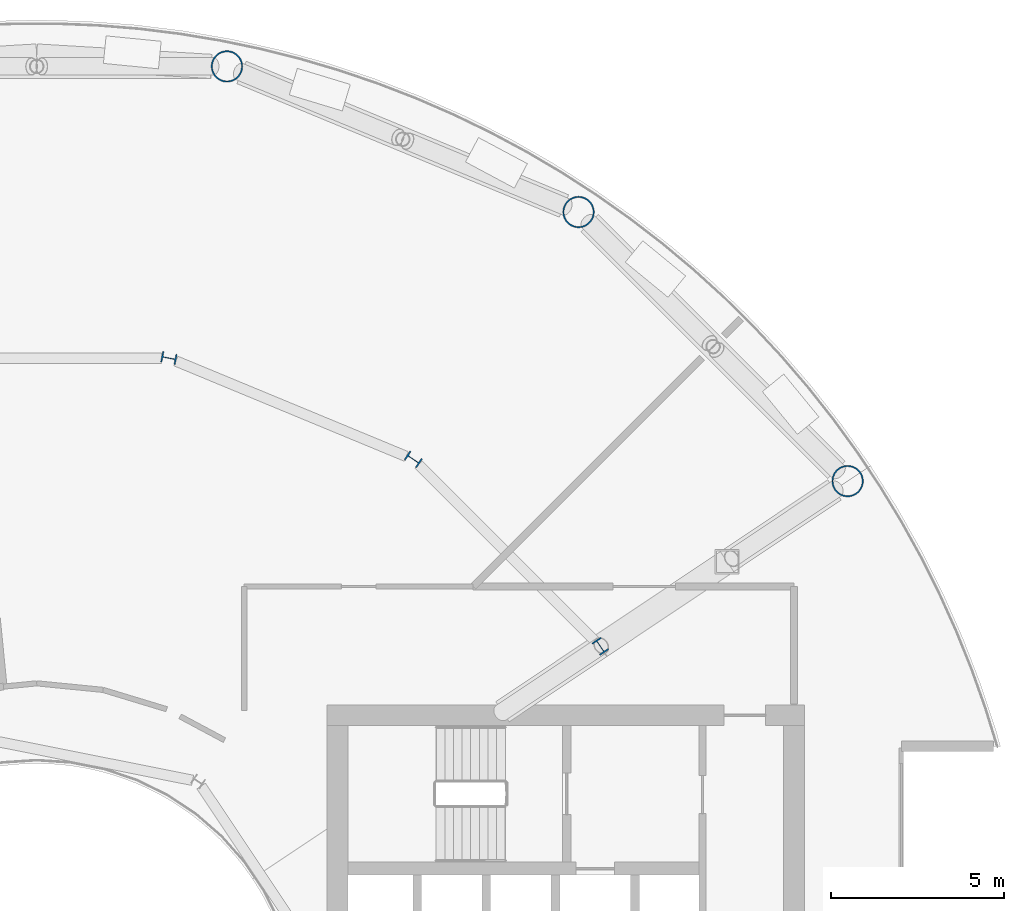
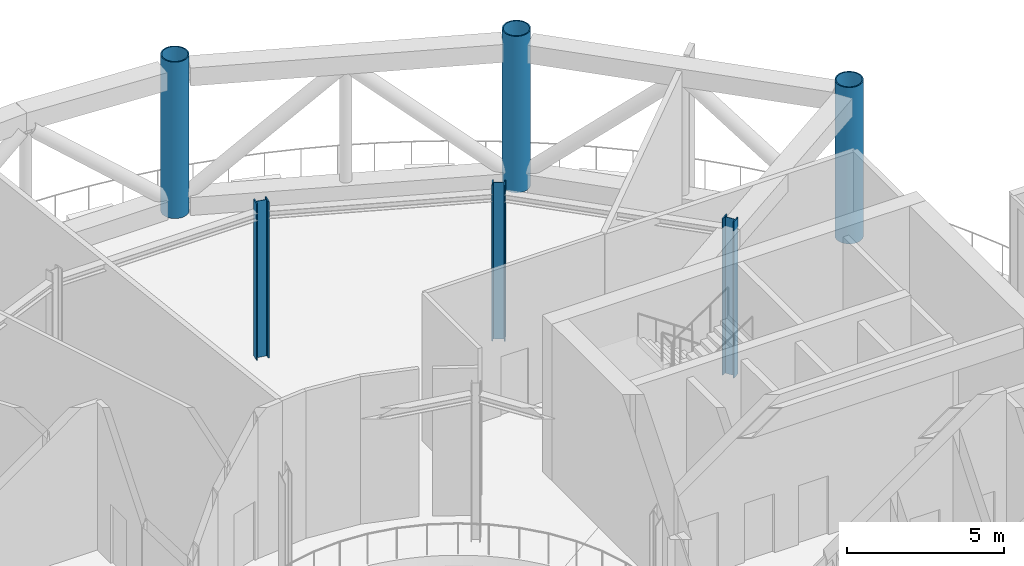
# One storey, part 4 of 25: 6 columns.
"""IFC4 building model written with IfcOpenShell, lengths in metres."""

from ifc_helpers import new_model, si_unit, direction, frame, origin, origin_2d, place, context, subcontext, project, spatial, hollow_circle, i_section, extrude, material, material_profile, profile_set, type_object, element, save


model = new_model("IFC4")

# Units and contexts
model_context = context("Model", 3, precision=1e-05, world=origin(), true_north=direction((0.0, 1.0)))
body_context = subcontext(model_context, "Body", "Model", "MODEL_VIEW")
ifc_project = project(units=[si_unit("LENGTHUNIT", "METRE"), si_unit("AREAUNIT", "SQUARE_METRE"), si_unit("VOLUMEUNIT", "CUBIC_METRE"), si_unit("PLANEANGLEUNIT", "RADIAN"), si_unit("MASSUNIT", "GRAM", prefix="KILO")], contexts=[model_context])

# Site, building, storey
site_placement = place(None, origin())
site = spatial("IfcSite", under=ifc_project, at=site_placement, CompositionType="ELEMENT")
building_placement = place(site_placement, origin())
building = spatial("IfcBuilding", under=site, at=building_placement, Name="Maasbend Ring Residences", CompositionType="ELEMENT")
storey_placement = place(building_placement, frame((0.0, 0.0, 139.10009765625)))
storey = spatial("IfcBuildingStorey", under=building, at=storey_placement, Name="L40", CompositionType="ELEMENT", Elevation=139.10009765625)

# Columns
ifc_material_1 = material(Name="Composite concrete-filled steel tube S460NH / C80/95", Category="concrete")
ifc_material_profile_1 = material_profile(ifc_material_1, hollow_circle(Radius=0.45703125, WallThickness=0.0400390625, at=origin_2d()), Name="Composite tube column CHS 914x40")
ifc_profile_set_1 = profile_set([ifc_material_profile_1], Name="Composite concrete-filled steel tube S460NH / C80/95")
column_type_1 = type_object("IfcColumnType", Name="Composite tube column CHS 914x40", PredefinedType="COLUMN", material=ifc_profile_set_1)
for number, where, z_axis, x_axis, name in (
    (1, (23.447509765625, 15.6669921875, 0.0), (0.0, 0.0, 1.0), (1.0, 0.0, 0.0), "Outer column R2"),
    (2, (15.6669921875, 23.447509765625, 0.0), (0.0, 0.0, 1.0), (1.0, 0.0, 0.0), "Outer column R3"),
    (3, (5.50146484375, 27.658203125, 0.0), (0.0, 0.0, 1.0), (1.0, 0.0, 0.0), "Outer column R4"),
):
    element("IfcColumn", number, at=place(storey_placement, frame(where, z_axis=z_axis, x_axis=x_axis)), inside=storey, type_object=column_type_1, Name=name, PredefinedType="COLUMN", context=body_context, shape_type="SweptSolid", body=[
        extrude(hollow_circle(Radius=0.45703125, WallThickness=0.0400390625, at=origin_2d()), origin(), (0.0, 0.0, 1.0), 6.099853515625),
    ])
ifc_material_2 = material(Name="Steel S460M", Category="steel")
ifc_material_profile_2 = material_profile(ifc_material_2, i_section(OverallWidth=0.306884765625, OverallDepth=0.431884765625, WebThickness=0.02099609375, FlangeThickness=0.0400390625, FilletRadius=0.027099609375, at=origin_2d()), Name="HEM 400")
ifc_profile_set_2 = profile_set([ifc_material_profile_2], Name="Steel S460M")
column_type_2 = type_object("IfcColumnType", Name="Steel column HEM 400", PredefinedType="COLUMN", material=ifc_profile_set_2)
for number, where, z_axis, x_axis, name in (
    (4, (16.296875, 10.88916015625, 0.0), (0.0, 0.0, 1.0), (0.831469612303, 0.55557023302, 0.0), "Corridor ring column R2"),
    (5, (10.88916015625, 16.296875, 0.0), (0.0, 0.0, 1.0), (0.55557023302, 0.831469612303, 0.0), "Corridor ring column R3"),
    (6, (3.82373046875, 19.223388671875, 0.0), (0.0, 0.0, 1.0), (0.195090322016, 0.980785280403, 0.0), "Corridor ring column R4"),
):
    element("IfcColumn", number, at=place(storey_placement, frame(where, z_axis=z_axis, x_axis=x_axis)), inside=storey, type_object=column_type_2, Name=name, PredefinedType="COLUMN", context=body_context, shape_type="SweptSolid", body=[
        extrude(i_section(OverallWidth=0.306884765625, OverallDepth=0.431884765625, WebThickness=0.02099609375, FlangeThickness=0.0400390625, FilletRadius=0.027099609375, at=origin_2d()), origin(), (0.0, 0.0, 1.0), 6.099853515625),
    ])

save(model, "model.ifc")
